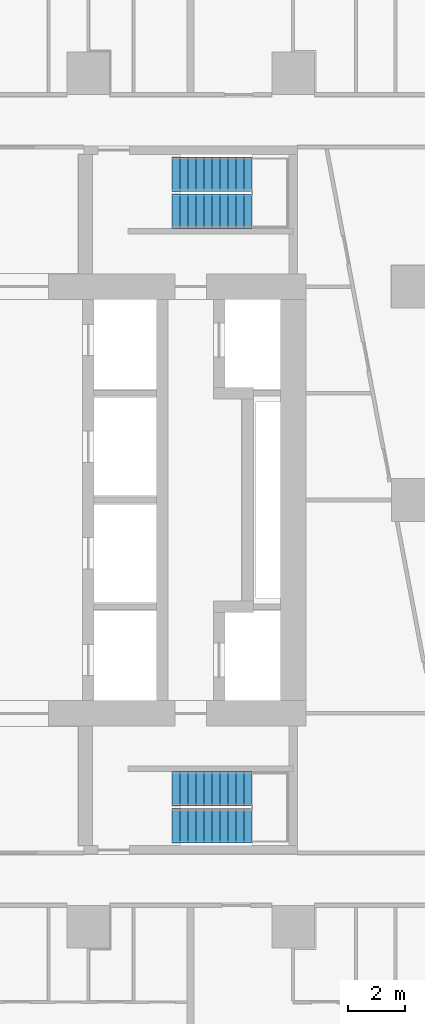
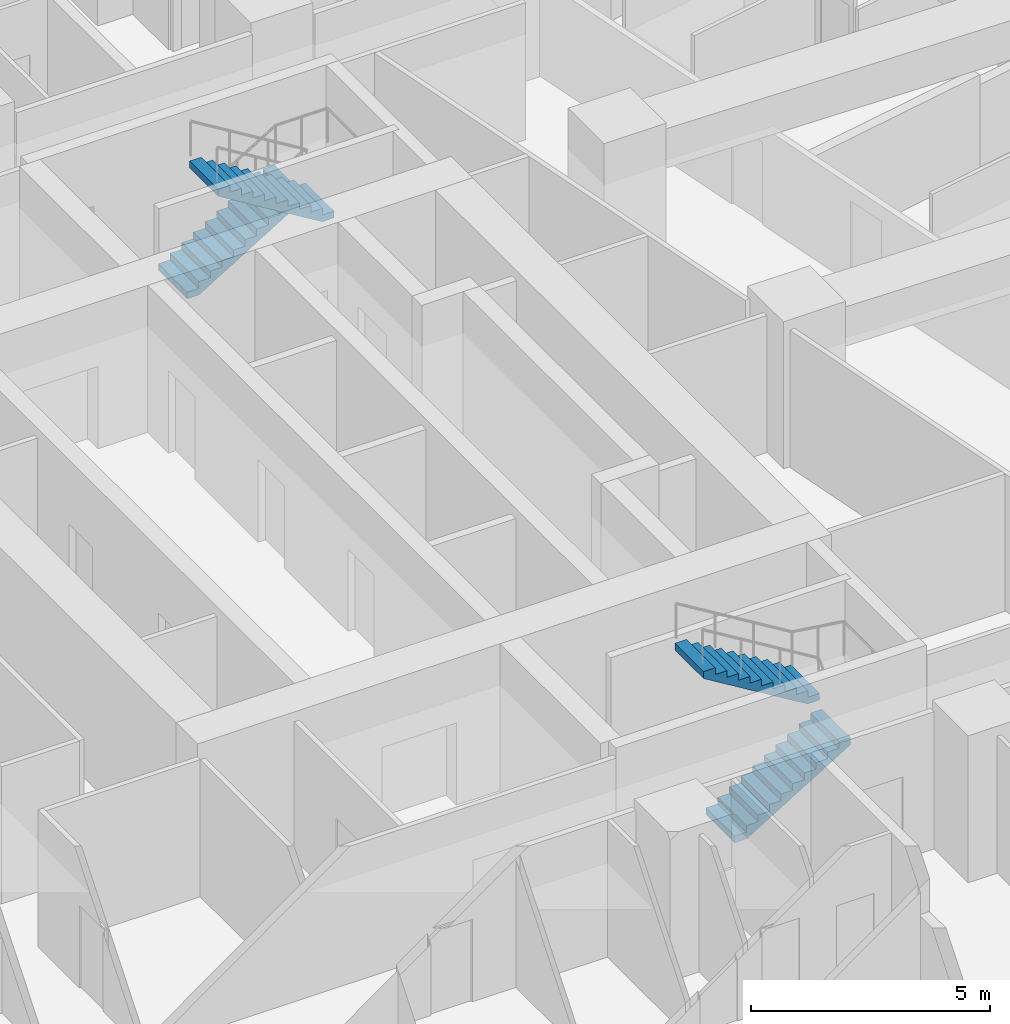
# One storey, part 13 of 15: 4 stair flights, 2 elements without a shape of their own.
"""IFC4 building model written with IfcOpenShell, lengths in metres."""

from ifc_helpers import new_model, si_unit, direction, frame, origin, place, context, subcontext, project, spatial, triangles, material, type_object, element, aggregate, save


model = new_model("IFC4")

# Units and contexts
model_context = context("Model", 3, precision=1e-05, world=origin(), true_north=direction((0.0, 1.0)))
body_context = subcontext(model_context, "Body", "Model", "MODEL_VIEW")
ifc_project = project(units=[si_unit("LENGTHUNIT", "METRE"), si_unit("AREAUNIT", "SQUARE_METRE"), si_unit("VOLUMEUNIT", "CUBIC_METRE"), si_unit("PLANEANGLEUNIT", "RADIAN"), si_unit("MASSUNIT", "GRAM", prefix="KILO")], contexts=[model_context])

# Site, building, storey
site_placement = place(None, origin())
site = spatial("IfcSite", under=ifc_project, at=site_placement, CompositionType="ELEMENT")
building_placement = place(site_placement, origin())
building = spatial("IfcBuilding", under=site, at=building_placement, Name="Sheger Commons Tower", CompositionType="ELEMENT")
storey_placement = place(building_placement, frame((0.0, 0.0, 154.550048828125)))
storey = spatial("IfcBuildingStorey", under=building, at=storey_placement, Name="L39", CompositionType="ELEMENT", Elevation=154.550048828125)

# Stair, stair flights
ifc_material_1 = material(Name="Concrete C35/45", Category="concrete")
stair_type = type_object("IfcStairType", Name="HALF-TURN STAIR 1200 RISE 3750", PredefinedType="HALF_TURN_STAIR", material=ifc_material_1)
stair_1_placement = place(storey_placement, origin())
stair_1 = element("IfcStair", 1, at=stair_1_placement, inside=storey, type_object=stair_type, Name="Stair S1 L39", PredefinedType="HALF_TURN_STAIR")
ifc_material_2 = material(Name="Concrete C35/45", Category="concrete")
stair_flight_type = type_object("IfcStairFlightType", Name="STAIR FLIGHT 1200 11 RISERS OF 170", PredefinedType="STRAIGHT", material=ifc_material_2)
stair_flight_1_placement = place(storey_placement, frame((24.550048828125, 11.050048828125, 0.0), z_axis=(0.0, 0.0, 1.0), x_axis=(1.0, 0.0, 0.0)))
stair_flight_1 = element("IfcStairFlight", 2, at=stair_flight_1_placement, type_object=stair_flight_type, Name="S1 flight 1", NumberOfRisers=11, NumberOfTreads=10, PredefinedType="STRAIGHT", RiserHeight=0.170454545, TreadLength=0.28, context=body_context, shape_type="Tessellation", body=[
    triangles([(0.0, 0.5999755859375, 0.0), (0.0, 0.5999755859375, 0.17041015625), (0.280029296875, 0.5999755859375, 0.17041015625), (0.280029296875, 0.5999755859375, 0.3408203125), (0.56005859375, 0.5999755859375, 0.3408203125), (0.56005859375, 0.5999755859375, 0.511474609375), (0.840087890625, 0.5999755859375, 0.511474609375), (0.840087890625, 0.5999755859375, 0.681884765625), (1.1201171875, 0.5999755859375, 0.681884765625), (1.1201171875, 0.5999755859375, 0.852294921875), (1.39990234375, 0.5999755859375, 0.852294921875), (1.39990234375, 0.5999755859375, 1.022705078125), (1.679931640625, 0.5999755859375, 1.022705078125), (1.679931640625, 0.5999755859375, 1.193115234375), (1.9599609375, 0.5999755859375, 1.193115234375), (1.9599609375, 0.5999755859375, 1.363525390625), (2.239990234375, 0.5999755859375, 1.363525390625), (2.239990234375, 0.5999755859375, 1.5341796875), (2.52001953125, 0.5999755859375, 1.5341796875), (2.52001953125, 0.5999755859375, 1.70458984375), (2.800048828125, 0.5999755859375, 1.70458984375), (2.800048828125, 0.5999755859375, 1.529052734375), (0.288330078125, 0.5999755859375, 0.0), (0.0, -0.5999755859375, 0.0), (0.0, -0.5999755859375, 0.17041015625), (0.280029296875, -0.5999755859375, 0.17041015625), (0.280029296875, -0.5999755859375, 0.3408203125), (0.56005859375, -0.5999755859375, 0.3408203125), (0.56005859375, -0.5999755859375, 0.511474609375), (0.840087890625, -0.5999755859375, 0.511474609375), (0.840087890625, -0.5999755859375, 0.681884765625), (1.1201171875, -0.5999755859375, 0.681884765625), (1.1201171875, -0.5999755859375, 0.852294921875), (1.39990234375, -0.5999755859375, 0.852294921875), (1.39990234375, -0.5999755859375, 1.022705078125), (1.679931640625, -0.5999755859375, 1.022705078125), (1.679931640625, -0.5999755859375, 1.193115234375), (1.9599609375, -0.5999755859375, 1.193115234375), (1.9599609375, -0.5999755859375, 1.363525390625), (2.239990234375, -0.5999755859375, 1.363525390625), (2.239990234375, -0.5999755859375, 1.5341796875), (2.52001953125, -0.5999755859375, 1.5341796875), (2.52001953125, -0.5999755859375, 1.70458984375), (2.800048828125, -0.5999755859375, 1.70458984375), (2.800048828125, -0.5999755859375, 1.529052734375), (0.288330078125, -0.5999755859375, 0.0), (0.0, 0.0, 0.085205078125), (0.1400146484375, 0.0, 0.17041015625), (0.280029296875, 0.0, 0.255615234375), (0.4200439453125, 0.0, 0.3408203125), (0.56005859375, 0.0, 0.4261474609375), (0.7000732421875, 0.0, 0.511474609375), (0.840087890625, 0.0, 0.5966796875), (0.9801025390625, 0.0, 0.681884765625), (1.1201171875, 0.0, 0.76708984375), (1.260009765625, 0.0, 0.852294921875), (1.39990234375, 0.0, 0.9375), (1.5399169921875, 0.0, 1.022705078125), (1.679931640625, 0.0, 1.10791015625), (1.8199462890625, 0.0, 1.193115234375), (1.9599609375, 0.0, 1.2783203125), (2.0999755859375, 0.0, 1.363525390625), (2.239990234375, 0.0, 1.4488525390625), (2.3800048828125, 0.0, 1.5341796875), (2.52001953125, 0.0, 1.619384765625), (2.6600341796875, 0.0, 1.70458984375), (2.800048828125, 0.0, 1.6168212890625), (1.544189453125, 0.0, 0.7645263671875), (0.1441650390625, 0.0, 0.0)], [[1, 22, 23], [24, 46, 45], [22, 20, 21], [45, 44, 43], [22, 19, 20], [45, 43, 42], [22, 18, 19], [45, 42, 41], [22, 17, 18], [45, 41, 40], [17, 15, 16], [40, 39, 38], [22, 15, 17], [45, 40, 38], [15, 13, 14], [38, 37, 36], [22, 13, 15], [45, 38, 36], [13, 11, 12], [36, 35, 34], [22, 11, 13], [45, 36, 34], [11, 9, 10], [34, 33, 32], [22, 9, 11], [45, 34, 32], [9, 7, 8], [32, 31, 30], [22, 7, 9], [45, 32, 30], [7, 5, 6], [30, 29, 28], [22, 5, 7], [45, 30, 28], [5, 3, 4], [28, 27, 26], [22, 3, 5], [45, 28, 26], [1, 3, 22], [24, 45, 26], [3, 1, 2], [26, 25, 24], [1, 47, 2], [2, 47, 25], [25, 47, 24], [24, 47, 1], [2, 48, 3], [3, 48, 26], [26, 48, 25], [25, 48, 2], [3, 49, 4], [4, 49, 27], [27, 49, 26], [26, 49, 3], [4, 50, 5], [5, 50, 28], [28, 50, 27], [27, 50, 4], [5, 51, 6], [6, 51, 29], [29, 51, 28], [28, 51, 5], [6, 52, 7], [7, 52, 30], [30, 52, 29], [29, 52, 6], [7, 53, 8], [8, 53, 31], [31, 53, 30], [30, 53, 7], [8, 54, 9], [9, 54, 32], [32, 54, 31], [31, 54, 8], [9, 55, 10], [10, 55, 33], [33, 55, 32], [32, 55, 9], [10, 56, 11], [11, 56, 34], [34, 56, 33], [33, 56, 10], [11, 57, 12], [12, 57, 35], [35, 57, 34], [34, 57, 11], [12, 58, 13], [13, 58, 36], [36, 58, 35], [35, 58, 12], [13, 59, 14], [14, 59, 37], [37, 59, 36], [36, 59, 13], [14, 60, 15], [15, 60, 38], [38, 60, 37], [37, 60, 14], [15, 61, 16], [16, 61, 39], [39, 61, 38], [38, 61, 15], [16, 62, 17], [17, 62, 40], [40, 62, 39], [39, 62, 16], [17, 63, 18], [18, 63, 41], [41, 63, 40], [40, 63, 17], [18, 64, 19], [19, 64, 42], [42, 64, 41], [41, 64, 18], [19, 65, 20], [20, 65, 43], [43, 65, 42], [42, 65, 19], [20, 66, 21], [21, 66, 44], [44, 66, 43], [43, 66, 20], [21, 67, 22], [22, 67, 45], [45, 67, 44], [44, 67, 21], [22, 68, 23], [23, 68, 46], [46, 68, 45], [45, 68, 22], [23, 69, 1], [1, 69, 24], [24, 69, 46], [46, 69, 23]], closed=True),
])
stair_flight_2_placement = place(storey_placement, frame((27.35009765625, 12.35009765625, 1.875), z_axis=(0.0, 0.0, 1.0), x_axis=(-1.0, 0.0, 0.0)))
stair_flight_2 = element("IfcStairFlight", 3, at=stair_flight_2_placement, type_object=stair_flight_type, Name="S1 flight 2", NumberOfRisers=11, NumberOfTreads=10, PredefinedType="STRAIGHT", RiserHeight=0.170454545, TreadLength=0.28, context=body_context, shape_type="Tessellation", body=[
    triangles([(0.0, 0.5999755859375, 0.0), (0.0, 0.5999755859375, 0.17041015625), (0.280029296875, 0.5999755859375, 0.17041015625), (0.280029296875, 0.5999755859375, 0.3408203125), (0.56005859375, 0.5999755859375, 0.3408203125), (0.56005859375, 0.5999755859375, 0.511474609375), (0.840087890625, 0.5999755859375, 0.511474609375), (0.840087890625, 0.5999755859375, 0.681884765625), (1.1201171875, 0.5999755859375, 0.681884765625), (1.1201171875, 0.5999755859375, 0.852294921875), (1.39990234375, 0.5999755859375, 0.852294921875), (1.39990234375, 0.5999755859375, 1.022705078125), (1.679931640625, 0.5999755859375, 1.022705078125), (1.679931640625, 0.5999755859375, 1.193115234375), (1.9599609375, 0.5999755859375, 1.193115234375), (1.9599609375, 0.5999755859375, 1.363525390625), (2.239990234375, 0.5999755859375, 1.363525390625), (2.239990234375, 0.5999755859375, 1.5341796875), (2.52001953125, 0.5999755859375, 1.5341796875), (2.52001953125, 0.5999755859375, 1.70458984375), (2.800048828125, 0.5999755859375, 1.70458984375), (2.800048828125, 0.5999755859375, 1.529052734375), (0.288330078125, 0.5999755859375, 0.0), (0.0, -0.5999755859375, 0.0), (0.0, -0.5999755859375, 0.17041015625), (0.280029296875, -0.5999755859375, 0.17041015625), (0.280029296875, -0.5999755859375, 0.3408203125), (0.56005859375, -0.5999755859375, 0.3408203125), (0.56005859375, -0.5999755859375, 0.511474609375), (0.840087890625, -0.5999755859375, 0.511474609375), (0.840087890625, -0.5999755859375, 0.681884765625), (1.1201171875, -0.5999755859375, 0.681884765625), (1.1201171875, -0.5999755859375, 0.852294921875), (1.39990234375, -0.5999755859375, 0.852294921875), (1.39990234375, -0.5999755859375, 1.022705078125), (1.679931640625, -0.5999755859375, 1.022705078125), (1.679931640625, -0.5999755859375, 1.193115234375), (1.9599609375, -0.5999755859375, 1.193115234375), (1.9599609375, -0.5999755859375, 1.363525390625), (2.239990234375, -0.5999755859375, 1.363525390625), (2.239990234375, -0.5999755859375, 1.5341796875), (2.52001953125, -0.5999755859375, 1.5341796875), (2.52001953125, -0.5999755859375, 1.70458984375), (2.800048828125, -0.5999755859375, 1.70458984375), (2.800048828125, -0.5999755859375, 1.529052734375), (0.288330078125, -0.5999755859375, 0.0), (0.0, 0.0, 0.085205078125), (0.1400146484375, 0.0, 0.17041015625), (0.280029296875, 0.0, 0.255615234375), (0.4200439453125, 0.0, 0.3408203125), (0.56005859375, 0.0, 0.4261474609375), (0.7000732421875, 0.0, 0.511474609375), (0.840087890625, 0.0, 0.5966796875), (0.9801025390625, 0.0, 0.681884765625), (1.1201171875, 0.0, 0.76708984375), (1.260009765625, 0.0, 0.852294921875), (1.39990234375, 0.0, 0.9375), (1.5399169921875, 0.0, 1.022705078125), (1.679931640625, 0.0, 1.10791015625), (1.8199462890625, 0.0, 1.193115234375), (1.9599609375, 0.0, 1.2783203125), (2.0999755859375, 0.0, 1.363525390625), (2.239990234375, 0.0, 1.4488525390625), (2.3800048828125, 0.0, 1.5341796875), (2.52001953125, 0.0, 1.619384765625), (2.6600341796875, 0.0, 1.70458984375), (2.800048828125, 0.0, 1.6168212890625), (1.544189453125, 0.0, 0.7645263671875), (0.1441650390625, 0.0, 0.0)], [[1, 22, 23], [24, 46, 45], [22, 20, 21], [45, 44, 43], [22, 19, 20], [45, 43, 42], [22, 18, 19], [45, 42, 41], [22, 17, 18], [45, 41, 40], [17, 15, 16], [40, 39, 38], [22, 15, 17], [45, 40, 38], [15, 13, 14], [38, 37, 36], [22, 13, 15], [45, 38, 36], [13, 11, 12], [36, 35, 34], [22, 11, 13], [45, 36, 34], [11, 9, 10], [34, 33, 32], [22, 9, 11], [45, 34, 32], [9, 7, 8], [32, 31, 30], [22, 7, 9], [45, 32, 30], [7, 5, 6], [30, 29, 28], [22, 5, 7], [45, 30, 28], [5, 3, 4], [28, 27, 26], [22, 3, 5], [45, 28, 26], [1, 3, 22], [24, 45, 26], [3, 1, 2], [26, 25, 24], [1, 47, 2], [2, 47, 25], [25, 47, 24], [24, 47, 1], [2, 48, 3], [3, 48, 26], [26, 48, 25], [25, 48, 2], [3, 49, 4], [4, 49, 27], [27, 49, 26], [26, 49, 3], [4, 50, 5], [5, 50, 28], [28, 50, 27], [27, 50, 4], [5, 51, 6], [6, 51, 29], [29, 51, 28], [28, 51, 5], [6, 52, 7], [7, 52, 30], [30, 52, 29], [29, 52, 6], [7, 53, 8], [8, 53, 31], [31, 53, 30], [30, 53, 7], [8, 54, 9], [9, 54, 32], [32, 54, 31], [31, 54, 8], [9, 55, 10], [10, 55, 33], [33, 55, 32], [32, 55, 9], [10, 56, 11], [11, 56, 34], [34, 56, 33], [33, 56, 10], [11, 57, 12], [12, 57, 35], [35, 57, 34], [34, 57, 11], [12, 58, 13], [13, 58, 36], [36, 58, 35], [35, 58, 12], [13, 59, 14], [14, 59, 37], [37, 59, 36], [36, 59, 13], [14, 60, 15], [15, 60, 38], [38, 60, 37], [37, 60, 14], [15, 61, 16], [16, 61, 39], [39, 61, 38], [38, 61, 15], [16, 62, 17], [17, 62, 40], [40, 62, 39], [39, 62, 16], [17, 63, 18], [18, 63, 41], [41, 63, 40], [40, 63, 17], [18, 64, 19], [19, 64, 42], [42, 64, 41], [41, 64, 18], [19, 65, 20], [20, 65, 43], [43, 65, 42], [42, 65, 19], [20, 66, 21], [21, 66, 44], [44, 66, 43], [43, 66, 20], [21, 67, 22], [22, 67, 45], [45, 67, 44], [44, 67, 21], [22, 68, 23], [23, 68, 46], [46, 68, 45], [45, 68, 22], [23, 69, 1], [1, 69, 24], [24, 69, 46], [46, 69, 23]], closed=True),
])
aggregate(stair_1, [stair_flight_1, stair_flight_2])

stair_2_placement = place(storey_placement, origin())
stair_2 = element("IfcStair", 4, at=stair_2_placement, inside=storey, type_object=stair_type, Name="Stair S2 L39", PredefinedType="HALF_TURN_STAIR")
stair_flight_3_placement = place(storey_placement, frame((24.550048828125, 33.949951171875, 0.0), z_axis=(0.0, 0.0, 1.0), x_axis=(1.0, 0.0, 0.0)))
stair_flight_3 = element("IfcStairFlight", 5, at=stair_flight_3_placement, type_object=stair_flight_type, Name="S2 flight 1", NumberOfRisers=11, NumberOfTreads=10, PredefinedType="STRAIGHT", RiserHeight=0.170454545, TreadLength=0.28, context=body_context, shape_type="Tessellation", body=[
    triangles([(0.0, 0.5999755859375, 0.0), (0.0, 0.5999755859375, 0.17041015625), (0.280029296875, 0.5999755859375, 0.17041015625), (0.280029296875, 0.5999755859375, 0.3408203125), (0.56005859375, 0.5999755859375, 0.3408203125), (0.56005859375, 0.5999755859375, 0.511474609375), (0.840087890625, 0.5999755859375, 0.511474609375), (0.840087890625, 0.5999755859375, 0.681884765625), (1.1201171875, 0.5999755859375, 0.681884765625), (1.1201171875, 0.5999755859375, 0.852294921875), (1.39990234375, 0.5999755859375, 0.852294921875), (1.39990234375, 0.5999755859375, 1.022705078125), (1.679931640625, 0.5999755859375, 1.022705078125), (1.679931640625, 0.5999755859375, 1.193115234375), (1.9599609375, 0.5999755859375, 1.193115234375), (1.9599609375, 0.5999755859375, 1.363525390625), (2.239990234375, 0.5999755859375, 1.363525390625), (2.239990234375, 0.5999755859375, 1.5341796875), (2.52001953125, 0.5999755859375, 1.5341796875), (2.52001953125, 0.5999755859375, 1.70458984375), (2.800048828125, 0.5999755859375, 1.70458984375), (2.800048828125, 0.5999755859375, 1.529052734375), (0.288330078125, 0.5999755859375, 0.0), (0.0, -0.5999755859375, 0.0), (0.0, -0.5999755859375, 0.17041015625), (0.280029296875, -0.5999755859375, 0.17041015625), (0.280029296875, -0.5999755859375, 0.3408203125), (0.56005859375, -0.5999755859375, 0.3408203125), (0.56005859375, -0.5999755859375, 0.511474609375), (0.840087890625, -0.5999755859375, 0.511474609375), (0.840087890625, -0.5999755859375, 0.681884765625), (1.1201171875, -0.5999755859375, 0.681884765625), (1.1201171875, -0.5999755859375, 0.852294921875), (1.39990234375, -0.5999755859375, 0.852294921875), (1.39990234375, -0.5999755859375, 1.022705078125), (1.679931640625, -0.5999755859375, 1.022705078125), (1.679931640625, -0.5999755859375, 1.193115234375), (1.9599609375, -0.5999755859375, 1.193115234375), (1.9599609375, -0.5999755859375, 1.363525390625), (2.239990234375, -0.5999755859375, 1.363525390625), (2.239990234375, -0.5999755859375, 1.5341796875), (2.52001953125, -0.5999755859375, 1.5341796875), (2.52001953125, -0.5999755859375, 1.70458984375), (2.800048828125, -0.5999755859375, 1.70458984375), (2.800048828125, -0.5999755859375, 1.529052734375), (0.288330078125, -0.5999755859375, 0.0), (0.0, 0.0, 0.085205078125), (0.1400146484375, 0.0, 0.17041015625), (0.280029296875, 0.0, 0.255615234375), (0.4200439453125, 0.0, 0.3408203125), (0.56005859375, 0.0, 0.4261474609375), (0.7000732421875, 0.0, 0.511474609375), (0.840087890625, 0.0, 0.5966796875), (0.9801025390625, 0.0, 0.681884765625), (1.1201171875, 0.0, 0.76708984375), (1.260009765625, 0.0, 0.852294921875), (1.39990234375, 0.0, 0.9375), (1.5399169921875, 0.0, 1.022705078125), (1.679931640625, 0.0, 1.10791015625), (1.8199462890625, 0.0, 1.193115234375), (1.9599609375, 0.0, 1.2783203125), (2.0999755859375, 0.0, 1.363525390625), (2.239990234375, 0.0, 1.4488525390625), (2.3800048828125, 0.0, 1.5341796875), (2.52001953125, 0.0, 1.619384765625), (2.6600341796875, 0.0, 1.70458984375), (2.800048828125, 0.0, 1.6168212890625), (1.544189453125, 0.0, 0.7645263671875), (0.1441650390625, 0.0, 0.0)], [[1, 22, 23], [24, 46, 45], [22, 20, 21], [45, 44, 43], [22, 19, 20], [45, 43, 42], [22, 18, 19], [45, 42, 41], [22, 17, 18], [45, 41, 40], [17, 15, 16], [40, 39, 38], [22, 15, 17], [45, 40, 38], [15, 13, 14], [38, 37, 36], [22, 13, 15], [45, 38, 36], [13, 11, 12], [36, 35, 34], [22, 11, 13], [45, 36, 34], [11, 9, 10], [34, 33, 32], [22, 9, 11], [45, 34, 32], [9, 7, 8], [32, 31, 30], [22, 7, 9], [45, 32, 30], [7, 5, 6], [30, 29, 28], [22, 5, 7], [45, 30, 28], [5, 3, 4], [28, 27, 26], [22, 3, 5], [45, 28, 26], [1, 3, 22], [24, 45, 26], [3, 1, 2], [26, 25, 24], [1, 47, 2], [2, 47, 25], [25, 47, 24], [24, 47, 1], [2, 48, 3], [3, 48, 26], [26, 48, 25], [25, 48, 2], [3, 49, 4], [4, 49, 27], [27, 49, 26], [26, 49, 3], [4, 50, 5], [5, 50, 28], [28, 50, 27], [27, 50, 4], [5, 51, 6], [6, 51, 29], [29, 51, 28], [28, 51, 5], [6, 52, 7], [7, 52, 30], [30, 52, 29], [29, 52, 6], [7, 53, 8], [8, 53, 31], [31, 53, 30], [30, 53, 7], [8, 54, 9], [9, 54, 32], [32, 54, 31], [31, 54, 8], [9, 55, 10], [10, 55, 33], [33, 55, 32], [32, 55, 9], [10, 56, 11], [11, 56, 34], [34, 56, 33], [33, 56, 10], [11, 57, 12], [12, 57, 35], [35, 57, 34], [34, 57, 11], [12, 58, 13], [13, 58, 36], [36, 58, 35], [35, 58, 12], [13, 59, 14], [14, 59, 37], [37, 59, 36], [36, 59, 13], [14, 60, 15], [15, 60, 38], [38, 60, 37], [37, 60, 14], [15, 61, 16], [16, 61, 39], [39, 61, 38], [38, 61, 15], [16, 62, 17], [17, 62, 40], [40, 62, 39], [39, 62, 16], [17, 63, 18], [18, 63, 41], [41, 63, 40], [40, 63, 17], [18, 64, 19], [19, 64, 42], [42, 64, 41], [41, 64, 18], [19, 65, 20], [20, 65, 43], [43, 65, 42], [42, 65, 19], [20, 66, 21], [21, 66, 44], [44, 66, 43], [43, 66, 20], [21, 67, 22], [22, 67, 45], [45, 67, 44], [44, 67, 21], [22, 68, 23], [23, 68, 46], [46, 68, 45], [45, 68, 22], [23, 69, 1], [1, 69, 24], [24, 69, 46], [46, 69, 23]], closed=True),
])
stair_flight_4_placement = place(storey_placement, frame((27.35009765625, 32.64990234375, 1.875), z_axis=(0.0, 0.0, 1.0), x_axis=(-1.0, 0.0, 0.0)))
stair_flight_4 = element("IfcStairFlight", 6, at=stair_flight_4_placement, type_object=stair_flight_type, Name="S2 flight 2", NumberOfRisers=11, NumberOfTreads=10, PredefinedType="STRAIGHT", RiserHeight=0.170454545, TreadLength=0.28, context=body_context, shape_type="Tessellation", body=[
    triangles([(0.0, 0.5999755859375, 0.0), (0.0, 0.5999755859375, 0.17041015625), (0.280029296875, 0.5999755859375, 0.17041015625), (0.280029296875, 0.5999755859375, 0.3408203125), (0.56005859375, 0.5999755859375, 0.3408203125), (0.56005859375, 0.5999755859375, 0.511474609375), (0.840087890625, 0.5999755859375, 0.511474609375), (0.840087890625, 0.5999755859375, 0.681884765625), (1.1201171875, 0.5999755859375, 0.681884765625), (1.1201171875, 0.5999755859375, 0.852294921875), (1.39990234375, 0.5999755859375, 0.852294921875), (1.39990234375, 0.5999755859375, 1.022705078125), (1.679931640625, 0.5999755859375, 1.022705078125), (1.679931640625, 0.5999755859375, 1.193115234375), (1.9599609375, 0.5999755859375, 1.193115234375), (1.9599609375, 0.5999755859375, 1.363525390625), (2.239990234375, 0.5999755859375, 1.363525390625), (2.239990234375, 0.5999755859375, 1.5341796875), (2.52001953125, 0.5999755859375, 1.5341796875), (2.52001953125, 0.5999755859375, 1.70458984375), (2.800048828125, 0.5999755859375, 1.70458984375), (2.800048828125, 0.5999755859375, 1.529052734375), (0.288330078125, 0.5999755859375, 0.0), (0.0, -0.5999755859375, 0.0), (0.0, -0.5999755859375, 0.17041015625), (0.280029296875, -0.5999755859375, 0.17041015625), (0.280029296875, -0.5999755859375, 0.3408203125), (0.56005859375, -0.5999755859375, 0.3408203125), (0.56005859375, -0.5999755859375, 0.511474609375), (0.840087890625, -0.5999755859375, 0.511474609375), (0.840087890625, -0.5999755859375, 0.681884765625), (1.1201171875, -0.5999755859375, 0.681884765625), (1.1201171875, -0.5999755859375, 0.852294921875), (1.39990234375, -0.5999755859375, 0.852294921875), (1.39990234375, -0.5999755859375, 1.022705078125), (1.679931640625, -0.5999755859375, 1.022705078125), (1.679931640625, -0.5999755859375, 1.193115234375), (1.9599609375, -0.5999755859375, 1.193115234375), (1.9599609375, -0.5999755859375, 1.363525390625), (2.239990234375, -0.5999755859375, 1.363525390625), (2.239990234375, -0.5999755859375, 1.5341796875), (2.52001953125, -0.5999755859375, 1.5341796875), (2.52001953125, -0.5999755859375, 1.70458984375), (2.800048828125, -0.5999755859375, 1.70458984375), (2.800048828125, -0.5999755859375, 1.529052734375), (0.288330078125, -0.5999755859375, 0.0), (0.0, 0.0, 0.085205078125), (0.1400146484375, 0.0, 0.17041015625), (0.280029296875, 0.0, 0.255615234375), (0.4200439453125, 0.0, 0.3408203125), (0.56005859375, 0.0, 0.4261474609375), (0.7000732421875, 0.0, 0.511474609375), (0.840087890625, 0.0, 0.5966796875), (0.9801025390625, 0.0, 0.681884765625), (1.1201171875, 0.0, 0.76708984375), (1.260009765625, 0.0, 0.852294921875), (1.39990234375, 0.0, 0.9375), (1.5399169921875, 0.0, 1.022705078125), (1.679931640625, 0.0, 1.10791015625), (1.8199462890625, 0.0, 1.193115234375), (1.9599609375, 0.0, 1.2783203125), (2.0999755859375, 0.0, 1.363525390625), (2.239990234375, 0.0, 1.4488525390625), (2.3800048828125, 0.0, 1.5341796875), (2.52001953125, 0.0, 1.619384765625), (2.6600341796875, 0.0, 1.70458984375), (2.800048828125, 0.0, 1.6168212890625), (1.544189453125, 0.0, 0.7645263671875), (0.1441650390625, 0.0, 0.0)], [[1, 22, 23], [24, 46, 45], [22, 20, 21], [45, 44, 43], [22, 19, 20], [45, 43, 42], [22, 18, 19], [45, 42, 41], [22, 17, 18], [45, 41, 40], [17, 15, 16], [40, 39, 38], [22, 15, 17], [45, 40, 38], [15, 13, 14], [38, 37, 36], [22, 13, 15], [45, 38, 36], [13, 11, 12], [36, 35, 34], [22, 11, 13], [45, 36, 34], [11, 9, 10], [34, 33, 32], [22, 9, 11], [45, 34, 32], [9, 7, 8], [32, 31, 30], [22, 7, 9], [45, 32, 30], [7, 5, 6], [30, 29, 28], [22, 5, 7], [45, 30, 28], [5, 3, 4], [28, 27, 26], [22, 3, 5], [45, 28, 26], [1, 3, 22], [24, 45, 26], [3, 1, 2], [26, 25, 24], [1, 47, 2], [2, 47, 25], [25, 47, 24], [24, 47, 1], [2, 48, 3], [3, 48, 26], [26, 48, 25], [25, 48, 2], [3, 49, 4], [4, 49, 27], [27, 49, 26], [26, 49, 3], [4, 50, 5], [5, 50, 28], [28, 50, 27], [27, 50, 4], [5, 51, 6], [6, 51, 29], [29, 51, 28], [28, 51, 5], [6, 52, 7], [7, 52, 30], [30, 52, 29], [29, 52, 6], [7, 53, 8], [8, 53, 31], [31, 53, 30], [30, 53, 7], [8, 54, 9], [9, 54, 32], [32, 54, 31], [31, 54, 8], [9, 55, 10], [10, 55, 33], [33, 55, 32], [32, 55, 9], [10, 56, 11], [11, 56, 34], [34, 56, 33], [33, 56, 10], [11, 57, 12], [12, 57, 35], [35, 57, 34], [34, 57, 11], [12, 58, 13], [13, 58, 36], [36, 58, 35], [35, 58, 12], [13, 59, 14], [14, 59, 37], [37, 59, 36], [36, 59, 13], [14, 60, 15], [15, 60, 38], [38, 60, 37], [37, 60, 14], [15, 61, 16], [16, 61, 39], [39, 61, 38], [38, 61, 15], [16, 62, 17], [17, 62, 40], [40, 62, 39], [39, 62, 16], [17, 63, 18], [18, 63, 41], [41, 63, 40], [40, 63, 17], [18, 64, 19], [19, 64, 42], [42, 64, 41], [41, 64, 18], [19, 65, 20], [20, 65, 43], [43, 65, 42], [42, 65, 19], [20, 66, 21], [21, 66, 44], [44, 66, 43], [43, 66, 20], [21, 67, 22], [22, 67, 45], [45, 67, 44], [44, 67, 21], [22, 68, 23], [23, 68, 46], [46, 68, 45], [45, 68, 22], [23, 69, 1], [1, 69, 24], [24, 69, 46], [46, 69, 23]], closed=True),
])
aggregate(stair_2, [stair_flight_3, stair_flight_4])

save(model, "model.ifc")
